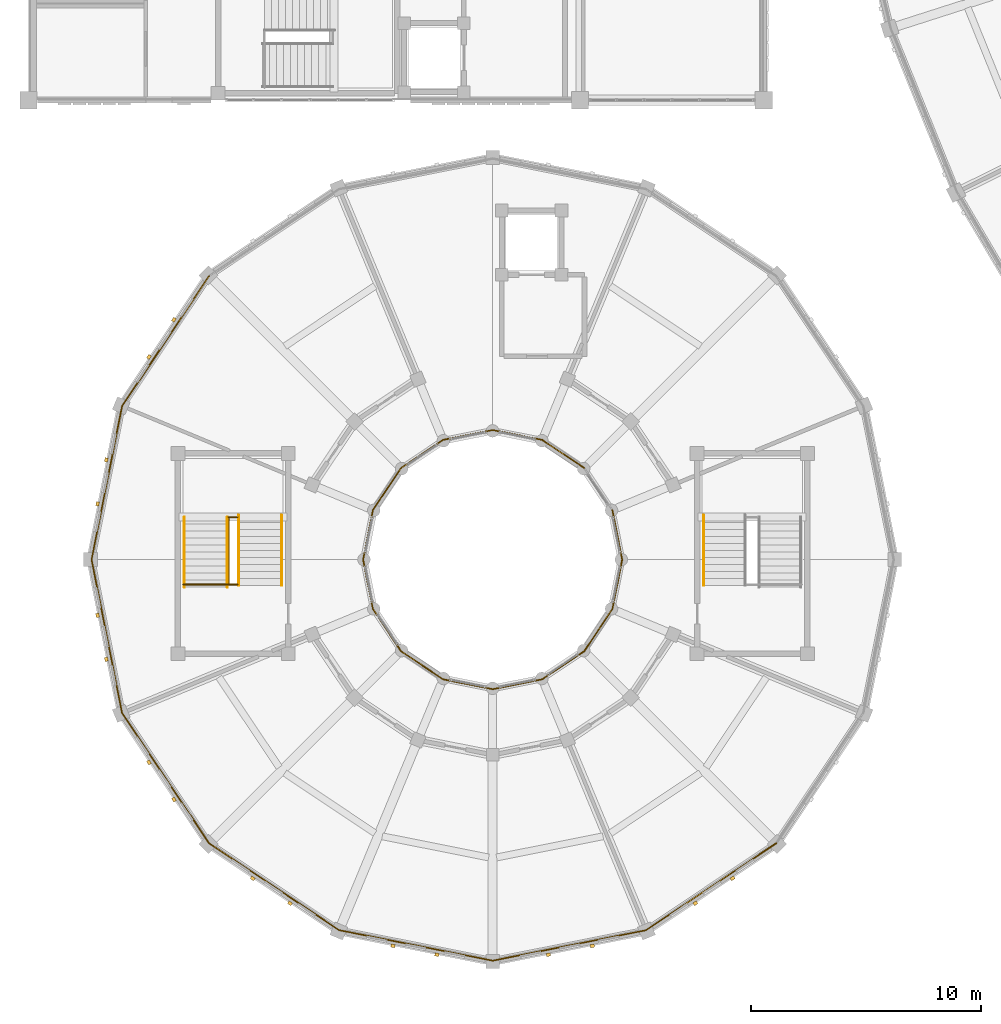
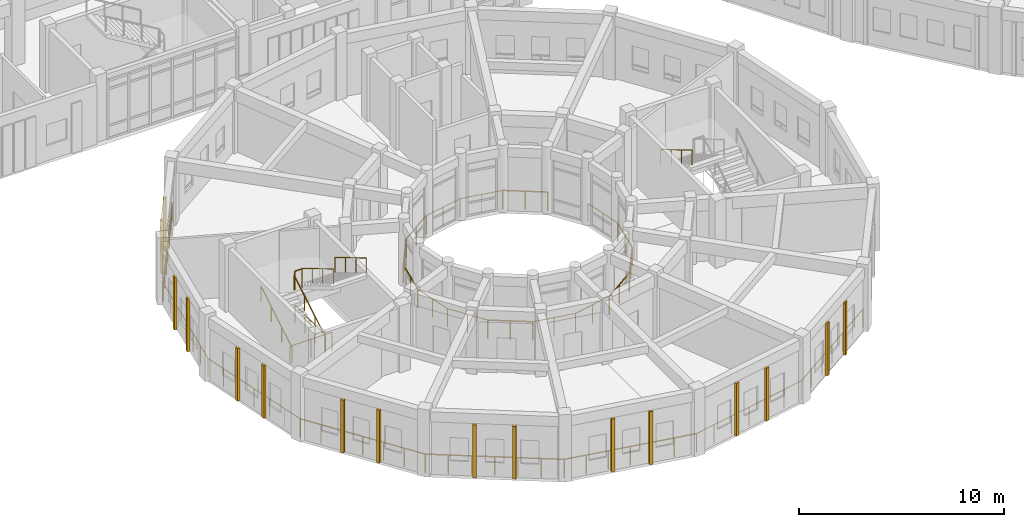
# One storey, part 140 of 159: 31 railings, 16 coverings.
"""IFC4 building model written with IfcOpenShell, lengths in metres."""

from ifc_helpers import new_model, si_unit, direction, frame, origin, origin_2d, place, context, subcontext, project, spatial, rectangle, circle, extrude, material, layer, layer_set, type_object, element, save


model = new_model("IFC4")

# Units and contexts
model_context = context("Model", 3, precision=1e-05, world=origin(), true_north=direction((0.0, 1.0)))
body_context = subcontext(model_context, "Body", "Model", "MODEL_VIEW")
ifc_project = project(units=[si_unit("LENGTHUNIT", "METRE"), si_unit("AREAUNIT", "SQUARE_METRE"), si_unit("VOLUMEUNIT", "CUBIC_METRE"), si_unit("PLANEANGLEUNIT", "RADIAN"), si_unit("MASSUNIT", "GRAM", prefix="KILO")], contexts=[model_context])

# Site, building, storey
site_placement = place(None, origin())
site = spatial("IfcSite", under=ifc_project, at=site_placement, CompositionType="ELEMENT")
building_placement = place(site_placement, origin())
building = spatial("IfcBuilding", under=site, at=building_placement, Name="Celadon Cloister-Ring School", CompositionType="ELEMENT")
storey_placement = place(building_placement, frame((0.0, 0.0, 4.5)))
storey = spatial("IfcBuildingStorey", under=building, at=storey_placement, Name="L01", CompositionType="ELEMENT", Elevation=4.5)

# Coverings
ifc_material_1 = material(Name="Perforated terracotta clay brick masonry", Category="masonry")
ifc_layer = layer(ifc_material_1, 0.139892578125)
ifc_layer_set = layer_set([ifc_layer], Name="Perforated terracotta clay brick masonry")
covering_type = type_object("IfcCoveringType", Name="CV-SC1", PredefinedType="CLADDING", material=ifc_layer_set)
for number, where, z_axis, x_axis, name in (
    (1, (5.239990234375, 28.822998046875, 0.0), (0.0, 0.0, 1.0), (0.55567181205, 0.831401730389, 0.0), "Brick Screen Rib 0618"),
    (2, (6.323974609375, 30.444091796875, 0.0), (0.0, 0.0, 1.0), (0.55567181205, 0.831401730389, 0.0), "Brick Screen Rib 0619"),
    (3, (3.001953125, 22.427001953125, 0.0), (0.0, 0.0, 1.0), (0.195141675546, 0.980775064153, 0.0), "Brick Screen Rib 0620"),
    (4, (3.383056640625, 24.339111328125, 0.0), (0.0, 0.0, 1.0), (0.195141675546, 0.980775064153, 0.0), "Brick Screen Rib 0621"),
    (5, (3.383056640625, 15.660888671875, 0.0), (0.0, 0.0, 1.0), (-0.195141675546, 0.980775064153, 0.0), "Brick Screen Rib 0622"),
    (6, (3.001953125, 17.572998046875, 0.0), (0.0, 0.0, 1.0), (-0.195141675546, 0.980775064153, 0.0), "Brick Screen Rib 0623"),
    (7, (6.323974609375, 9.555908203125, 0.0), (0.0, 0.0, 1.0), (-0.55567181205, 0.831401730389, 0.0), "Brick Screen Rib 0624"),
    (8, (5.239990234375, 11.177001953125, 0.0), (0.0, 0.0, 1.0), (-0.55567181205, 0.831401730389, 0.0), "Brick Screen Rib 0625"),
    (9, (11.376953125, 5.0400390625, 0.0), (0.0, 0.0, 1.0), (-0.831401730389, 0.55567181205, 0.0), "Brick Screen Rib 0626"),
    (10, (9.756103515625, 6.1240234375, 0.0), (0.0, 0.0, 1.0), (-0.831401730389, 0.55567181205, 0.0), "Brick Screen Rib 0627"),
    (11, (17.77294921875, 2.802001953125, 0.0), (0.0, 0.0, 1.0), (-0.980775064153, 0.195141675546, 0.0), "Brick Screen Rib 0628"),
    (12, (15.861083984375, 3.18310546875, 0.0), (0.0, 0.0, 1.0), (-0.980775064153, 0.195141675546, 0.0), "Brick Screen Rib 0629"),
    (13, (24.5390625, 3.18310546875, 0.0), (0.0, 0.0, 1.0), (-0.980775064153, -0.195141675546, 0.0), "Brick Screen Rib 0630"),
    (14, (22.626953125, 2.802001953125, 0.0), (0.0, 0.0, 1.0), (-0.980775064153, -0.195141675546, 0.0), "Brick Screen Rib 0631"),
    (15, (30.64404296875, 6.1240234375, 0.0), (0.0, 0.0, 1.0), (-0.831401730389, -0.55567181205, 0.0), "Brick Screen Rib 0632"),
    (16, (29.02294921875, 5.0400390625, 0.0), (0.0, 0.0, 1.0), (-0.831401730389, -0.55567181205, 0.0), "Brick Screen Rib 0633"),
):
    element("IfcCovering", number, at=place(storey_placement, frame(where, z_axis=z_axis, x_axis=x_axis)), inside=storey, type_object=covering_type, Name=name, PredefinedType="CLADDING", context=body_context, shape_type="SweptSolid", body=[
        extrude(rectangle(XDim=0.179931640625, YDim=0.139892578125, at=origin_2d()), origin(), (0.0, 0.0, 1.0), 3.152099609375),
    ])

# Railings
ifc_material_2 = material(Name="Structural steel S355JR", Category="steel")
railing_type_1 = type_object("IfcRailingType", Name="RL-BL1", PredefinedType="BALUSTRADE", material=ifc_material_2)
railing_1_placement = place(storey_placement, frame((7.85400390625, 32.345947265625, 0.0)))
element("IfcRailing", 17, at=railing_1_placement, inside=storey, type_object=railing_type_1, Name="Terrace Balustrade 0319", PredefinedType="BALUSTRADE", context=body_context, shape_type="SweptSolid", body=[
    extrude(circle(Radius=0.02392578125, at=origin_2d()), frame((0.0, 0.0, 1.09619140625), z_axis=(-0.555601342036, -0.831448825081, 0.0), x_axis=(0.831448825081, -0.555601342036, 0.0)), (0.0, 0.0, 1.0), 6.812255859375),
    extrude(circle(Radius=0.02099609375, at=origin_2d()), origin(), (0.0, 0.0, 1.0), 1.072021484375),
    extrude(circle(Radius=0.02099609375, at=origin_2d()), frame((-0.630859375, -0.944091796875, 0.0)), (0.0, 0.0, 1.0), 1.072021484375),
    extrude(circle(Radius=0.02099609375, at=origin_2d()), frame((-1.26171875, -1.887939453125, 0.0)), (0.0, 0.0, 1.0), 1.072021484375),
    extrude(circle(Radius=0.02099609375, at=origin_2d()), frame((-1.892578125, -2.83203125, 0.0)), (0.0, 0.0, 1.0), 1.072021484375),
    extrude(circle(Radius=0.02099609375, at=origin_2d()), frame((-2.523193359375, -3.776123046875, 0.0)), (0.0, 0.0, 1.0), 1.072021484375),
    extrude(circle(Radius=0.02099609375, at=origin_2d()), frame((-3.154052734375, -4.719970703125, 0.0)), (0.0, 0.0, 1.0), 1.072021484375),
    extrude(circle(Radius=0.02099609375, at=origin_2d()), frame((-3.784912109375, -5.6640625, 0.0)), (0.0, 0.0, 1.0), 1.072021484375),
])
railing_2_placement = place(storey_placement, frame((4.069091796875, 26.681884765625, 0.0)))
element("IfcRailing", 18, at=railing_2_placement, inside=storey, type_object=railing_type_1, Name="Terrace Balustrade 0320", PredefinedType="BALUSTRADE", context=body_context, shape_type="SweptSolid", body=[
    extrude(circle(Radius=0.02392578125, at=origin_2d()), frame((0.0, 0.0, 1.09619140625), z_axis=(-0.19508919883, -0.980785503818, 0.0), x_axis=(0.980785503818, -0.19508919883, 0.0)), (0.0, 0.0, 1.0), 6.812744140625),
    extrude(circle(Radius=0.02099609375, at=origin_2d()), origin(), (0.0, 0.0, 1.0), 1.072021484375),
    extrude(circle(Radius=0.02099609375, at=origin_2d()), frame((-0.221435546875, -1.11376953125, 0.0)), (0.0, 0.0, 1.0), 1.072021484375),
    extrude(circle(Radius=0.02099609375, at=origin_2d()), frame((-0.443115234375, -2.227294921875, 0.0)), (0.0, 0.0, 1.0), 1.072021484375),
    extrude(circle(Radius=0.02099609375, at=origin_2d()), frame((-0.66455078125, -3.3408203125, 0.0)), (0.0, 0.0, 1.0), 1.072021484375),
    extrude(circle(Radius=0.02099609375, at=origin_2d()), frame((-0.885986328125, -4.45458984375, 0.0)), (0.0, 0.0, 1.0), 1.072021484375),
    extrude(circle(Radius=0.02099609375, at=origin_2d()), frame((-1.107666015625, -5.568359375, 0.0)), (0.0, 0.0, 1.0), 1.072021484375),
    extrude(circle(Radius=0.02099609375, at=origin_2d()), frame((-1.3291015625, -6.681884765625, 0.0)), (0.0, 0.0, 1.0), 1.072021484375),
])
railing_3_placement = place(storey_placement, frame((2.739990234375, 20.0, 0.0)))
element("IfcRailing", 19, at=railing_3_placement, inside=storey, type_object=railing_type_1, Name="Terrace Balustrade 0321", PredefinedType="BALUSTRADE", context=body_context, shape_type="SweptSolid", body=[
    extrude(circle(Radius=0.02392578125, at=origin_2d()), frame((0.0, 0.0, 1.09619140625), z_axis=(0.19508919883, -0.980785503818, 0.0), x_axis=(0.980785503818, 0.19508919883, 0.0)), (0.0, 0.0, 1.0), 6.812744140625),
    extrude(circle(Radius=0.02099609375, at=origin_2d()), origin(), (0.0, 0.0, 1.0), 1.072021484375),
    extrude(circle(Radius=0.02099609375, at=origin_2d()), frame((0.221435546875, -1.11376953125, 0.0)), (0.0, 0.0, 1.0), 1.072021484375),
    extrude(circle(Radius=0.02099609375, at=origin_2d()), frame((0.443115234375, -2.227294921875, 0.0)), (0.0, 0.0, 1.0), 1.072021484375),
    extrude(circle(Radius=0.02099609375, at=origin_2d()), frame((0.66455078125, -3.3408203125, 0.0)), (0.0, 0.0, 1.0), 1.072021484375),
    extrude(circle(Radius=0.02099609375, at=origin_2d()), frame((0.885986328125, -4.45458984375, 0.0)), (0.0, 0.0, 1.0), 1.072021484375),
    extrude(circle(Radius=0.02099609375, at=origin_2d()), frame((1.107666015625, -5.568359375, 0.0)), (0.0, 0.0, 1.0), 1.072021484375),
    extrude(circle(Radius=0.02099609375, at=origin_2d()), frame((1.3291015625, -6.681884765625, 0.0)), (0.0, 0.0, 1.0), 1.072021484375),
])
railing_4_placement = place(storey_placement, frame((4.069091796875, 13.318115234375, 0.0)))
element("IfcRailing", 20, at=railing_4_placement, inside=storey, type_object=railing_type_1, Name="Terrace Balustrade 0322", PredefinedType="BALUSTRADE", context=body_context, shape_type="SweptSolid", body=[
    extrude(circle(Radius=0.02392578125, at=origin_2d()), frame((0.0, 0.0, 1.09619140625), z_axis=(0.555601342036, -0.831448825081, 0.0), x_axis=(0.831448825081, 0.555601342036, 0.0)), (0.0, 0.0, 1.0), 6.812255859375),
    extrude(circle(Radius=0.02099609375, at=origin_2d()), origin(), (0.0, 0.0, 1.0), 1.072021484375),
    extrude(circle(Radius=0.02099609375, at=origin_2d()), frame((0.630859375, -0.944091796875, 0.0)), (0.0, 0.0, 1.0), 1.072021484375),
    extrude(circle(Radius=0.02099609375, at=origin_2d()), frame((1.26171875, -1.887939453125, 0.0)), (0.0, 0.0, 1.0), 1.072021484375),
    extrude(circle(Radius=0.02099609375, at=origin_2d()), frame((1.892578125, -2.83203125, 0.0)), (0.0, 0.0, 1.0), 1.072021484375),
    extrude(circle(Radius=0.02099609375, at=origin_2d()), frame((2.523193359375, -3.776123046875, 0.0)), (0.0, 0.0, 1.0), 1.072021484375),
    extrude(circle(Radius=0.02099609375, at=origin_2d()), frame((3.154052734375, -4.719970703125, 0.0)), (0.0, 0.0, 1.0), 1.072021484375),
    extrude(circle(Radius=0.02099609375, at=origin_2d()), frame((3.784912109375, -5.6640625, 0.0)), (0.0, 0.0, 1.0), 1.072021484375),
])
railing_5_placement = place(storey_placement, frame((7.85400390625, 7.654052734375, 0.0)))
element("IfcRailing", 21, at=railing_5_placement, inside=storey, type_object=railing_type_1, Name="Terrace Balustrade 0323", PredefinedType="BALUSTRADE", context=body_context, shape_type="SweptSolid", body=[
    extrude(circle(Radius=0.02392578125, at=origin_2d()), frame((0.0, 0.0, 1.09619140625), z_axis=(0.831432269387, -0.555626116577, 0.0), x_axis=(0.555626116577, 0.831432269387, 0.0)), (0.0, 0.0, 1.0), 6.8125),
    extrude(circle(Radius=0.02099609375, at=origin_2d()), origin(), (0.0, 0.0, 1.0), 1.072021484375),
    extrude(circle(Radius=0.02099609375, at=origin_2d()), frame((0.944091796875, -0.630859375, 0.0)), (0.0, 0.0, 1.0), 1.072021484375),
    extrude(circle(Radius=0.02099609375, at=origin_2d()), frame((1.887939453125, -1.26171875, 0.0)), (0.0, 0.0, 1.0), 1.072021484375),
    extrude(circle(Radius=0.02099609375, at=origin_2d()), frame((2.83203125, -1.892578125, 0.0)), (0.0, 0.0, 1.0), 1.072021484375),
    extrude(circle(Radius=0.02099609375, at=origin_2d()), frame((3.776123046875, -2.5234375, 0.0)), (0.0, 0.0, 1.0), 1.072021484375),
    extrude(circle(Radius=0.02099609375, at=origin_2d()), frame((4.719970703125, -3.154296875, 0.0)), (0.0, 0.0, 1.0), 1.072021484375),
    extrude(circle(Radius=0.02099609375, at=origin_2d()), frame((5.6640625, -3.78515625, 0.0)), (0.0, 0.0, 1.0), 1.072021484375),
])
railing_6_placement = place(storey_placement, frame((13.51806640625, 3.868896484375, 0.0)))
element("IfcRailing", 22, at=railing_6_placement, inside=storey, type_object=railing_type_1, Name="Terrace Balustrade 0324", PredefinedType="BALUSTRADE", context=body_context, shape_type="SweptSolid", body=[
    extrude(circle(Radius=0.02392578125, at=origin_2d()), frame((0.0, 0.0, 1.09619140625), z_axis=(0.980792360074, -0.19505472673, 0.0), x_axis=(0.19505472673, 0.980792360074, 0.0)), (0.0, 0.0, 1.0), 6.812744140625),
    extrude(circle(Radius=0.02099609375, at=origin_2d()), origin(), (0.0, 0.0, 1.0), 1.072021484375),
    extrude(circle(Radius=0.02099609375, at=origin_2d()), frame((1.11376953125, -0.221435546875, 0.0)), (0.0, 0.0, 1.0), 1.072021484375),
    extrude(circle(Radius=0.02099609375, at=origin_2d()), frame((2.227294921875, -0.44287109375, 0.0)), (0.0, 0.0, 1.0), 1.072021484375),
    extrude(circle(Radius=0.02099609375, at=origin_2d()), frame((3.3408203125, -0.66455078125, 0.0)), (0.0, 0.0, 1.0), 1.072021484375),
    extrude(circle(Radius=0.02099609375, at=origin_2d()), frame((4.45458984375, -0.885986328125, 0.0)), (0.0, 0.0, 1.0), 1.072021484375),
    extrude(circle(Radius=0.02099609375, at=origin_2d()), frame((5.568359375, -1.107421875, 0.0)), (0.0, 0.0, 1.0), 1.072021484375),
    extrude(circle(Radius=0.02099609375, at=origin_2d()), frame((6.681884765625, -1.328857421875, 0.0)), (0.0, 0.0, 1.0), 1.072021484375),
])
railing_7_placement = place(storey_placement, frame((20.199951171875, 2.5400390625, 0.0)))
element("IfcRailing", 23, at=railing_7_placement, inside=storey, type_object=railing_type_1, Name="Terrace Balustrade 0325", PredefinedType="BALUSTRADE", context=body_context, shape_type="SweptSolid", body=[
    extrude(circle(Radius=0.02392578125, at=origin_2d()), frame((0.0, 0.0, 1.09619140625), z_axis=(0.980793723427, 0.195047871268, 0.0), x_axis=(-0.195047871268, 0.980793723427, 0.0)), (0.0, 0.0, 1.0), 6.81298828125),
    extrude(circle(Radius=0.02099609375, at=origin_2d()), origin(), (0.0, 0.0, 1.0), 1.072021484375),
    extrude(circle(Radius=0.02099609375, at=origin_2d()), frame((1.11376953125, 0.221435546875, 0.0)), (0.0, 0.0, 1.0), 1.072021484375),
    extrude(circle(Radius=0.02099609375, at=origin_2d()), frame((2.227294921875, 0.44287109375, 0.0)), (0.0, 0.0, 1.0), 1.072021484375),
    extrude(circle(Radius=0.02099609375, at=origin_2d()), frame((3.341064453125, 0.66455078125, 0.0)), (0.0, 0.0, 1.0), 1.072021484375),
    extrude(circle(Radius=0.02099609375, at=origin_2d()), frame((4.454833984375, 0.885986328125, 0.0)), (0.0, 0.0, 1.0), 1.072021484375),
    extrude(circle(Radius=0.02099609375, at=origin_2d()), frame((5.568359375, 1.107421875, 0.0)), (0.0, 0.0, 1.0), 1.072021484375),
    extrude(circle(Radius=0.02099609375, at=origin_2d()), frame((6.68212890625, 1.328857421875, 0.0)), (0.0, 0.0, 1.0), 1.072021484375),
])
railing_8_placement = place(storey_placement, frame((26.882080078125, 3.868896484375, 0.0)))
element("IfcRailing", 24, at=railing_8_placement, inside=storey, type_object=railing_type_1, Name="Terrace Balustrade 0326", PredefinedType="BALUSTRADE", context=body_context, shape_type="SweptSolid", body=[
    extrude(circle(Radius=0.02392578125, at=origin_2d()), frame((0.0, 0.0, 1.09619140625), z_axis=(0.831421205096, 0.555642672693, 0.0), x_axis=(-0.555642672693, 0.831421205096, 0.0)), (0.0, 0.0, 1.0), 6.812255859375),
    extrude(circle(Radius=0.02099609375, at=origin_2d()), origin(), (0.0, 0.0, 1.0), 1.072021484375),
    extrude(circle(Radius=0.02099609375, at=origin_2d()), frame((0.94384765625, 0.630859375, 0.0)), (0.0, 0.0, 1.0), 1.072021484375),
    extrude(circle(Radius=0.02099609375, at=origin_2d()), frame((1.887939453125, 1.26171875, 0.0)), (0.0, 0.0, 1.0), 1.072021484375),
    extrude(circle(Radius=0.02099609375, at=origin_2d()), frame((2.83203125, 1.892578125, 0.0)), (0.0, 0.0, 1.0), 1.072021484375),
    extrude(circle(Radius=0.02099609375, at=origin_2d()), frame((3.77587890625, 2.5234375, 0.0)), (0.0, 0.0, 1.0), 1.072021484375),
    extrude(circle(Radius=0.02099609375, at=origin_2d()), frame((4.7197265625, 3.154296875, 0.0)), (0.0, 0.0, 1.0), 1.072021484375),
    extrude(circle(Radius=0.02099609375, at=origin_2d()), frame((5.663818359375, 3.78515625, 0.0)), (0.0, 0.0, 1.0), 1.072021484375),
])
railing_9_placement = place(storey_placement, frame((25.840087890625, 20.0, 0.0)))
element("IfcRailing", 25, at=railing_9_placement, inside=storey, type_object=railing_type_1, Name="Terrace Balustrade 0329", PredefinedType="BALUSTRADE", context=body_context, shape_type="SweptSolid", body=[
    extrude(circle(Radius=0.02392578125, at=origin_2d()), frame((0.0, 0.0, 1.09619140625), z_axis=(-0.19507042432, 0.980789238091, 0.0), x_axis=(-0.980789238091, -0.19507042432, 0.0)), (0.0, 0.0, 1.0), 2.2001953125),
    extrude(circle(Radius=0.02099609375, at=origin_2d()), origin(), (0.0, 0.0, 1.0), 1.072021484375),
    extrude(circle(Radius=0.02099609375, at=origin_2d()), frame((-0.214599609375, 1.0791015625, 0.0)), (0.0, 0.0, 1.0), 1.072021484375),
    extrude(circle(Radius=0.02099609375, at=origin_2d()), frame((-0.42919921875, 2.157958984375, 0.0)), (0.0, 0.0, 1.0), 1.072021484375),
])
railing_10_placement = place(storey_placement, frame((24.18798828125, 23.988037109375, 0.0)))
element("IfcRailing", 26, at=railing_10_placement, inside=storey, type_object=railing_type_1, Name="Terrace Balustrade 0331", PredefinedType="BALUSTRADE", context=body_context, shape_type="SweptSolid", body=[
    extrude(circle(Radius=0.02392578125, at=origin_2d()), frame((0.0, 0.0, 1.09619140625), z_axis=(-0.831452553193, 0.555595762933, 0.0), x_axis=(-0.555595762933, -0.831452553193, 0.0)), (0.0, 0.0, 1.0), 2.201171875),
    extrude(circle(Radius=0.02099609375, at=origin_2d()), origin(), (0.0, 0.0, 1.0), 1.072021484375),
    extrude(circle(Radius=0.02099609375, at=origin_2d()), frame((-0.9150390625, 0.611328125, 0.0)), (0.0, 0.0, 1.0), 1.072021484375),
    extrude(circle(Radius=0.02099609375, at=origin_2d()), frame((-1.830078125, 1.222900390625, 0.0)), (0.0, 0.0, 1.0), 1.072021484375),
])
railing_11_placement = place(storey_placement, frame((22.35791015625, 25.2109375, 0.0)))
element("IfcRailing", 27, at=railing_11_placement, inside=storey, type_object=railing_type_1, Name="Terrace Balustrade 0332", PredefinedType="BALUSTRADE", context=body_context, shape_type="SweptSolid", body=[
    extrude(circle(Radius=0.02392578125, at=origin_2d()), frame((0.0, 0.0, 1.09619140625), z_axis=(-0.980810462238, 0.194963681655, 0.0), x_axis=(-0.194963681655, -0.980810462238, 0.0)), (0.0, 0.0, 1.0), 2.2001953125),
    extrude(circle(Radius=0.02099609375, at=origin_2d()), origin(), (0.0, 0.0, 1.0), 1.072021484375),
    extrude(circle(Radius=0.02099609375, at=origin_2d()), frame((-1.0791015625, 0.21435546875, 0.0)), (0.0, 0.0, 1.0), 1.072021484375),
    extrude(circle(Radius=0.02099609375, at=origin_2d()), frame((-2.157958984375, 0.428955078125, 0.0)), (0.0, 0.0, 1.0), 1.072021484375),
])
railing_12_placement = place(storey_placement, frame((20.199951171875, 25.639892578125, 0.0)))
element("IfcRailing", 28, at=railing_12_placement, inside=storey, type_object=railing_type_1, Name="Terrace Balustrade 0333", PredefinedType="BALUSTRADE", context=body_context, shape_type="SweptSolid", body=[
    extrude(circle(Radius=0.02392578125, at=origin_2d()), frame((0.0, 0.0, 1.09619140625), z_axis=(-0.980810462238, -0.194963681655, 0.0), x_axis=(0.194963681655, -0.980810462238, 0.0)), (0.0, 0.0, 1.0), 2.2001953125),
    extrude(circle(Radius=0.02099609375, at=origin_2d()), origin(), (0.0, 0.0, 1.0), 1.072021484375),
    extrude(circle(Radius=0.02099609375, at=origin_2d()), frame((-1.0791015625, -0.21435546875, 0.0)), (0.0, 0.0, 1.0), 1.072021484375),
    extrude(circle(Radius=0.02099609375, at=origin_2d()), frame((-2.157958984375, -0.428955078125, 0.0)), (0.0, 0.0, 1.0), 1.072021484375),
])
railing_13_placement = place(storey_placement, frame((18.0419921875, 25.2109375, 0.0)))
element("IfcRailing", 29, at=railing_13_placement, inside=storey, type_object=railing_type_1, Name="Terrace Balustrade 0334", PredefinedType="BALUSTRADE", context=body_context, shape_type="SweptSolid", body=[
    extrude(circle(Radius=0.02392578125, at=origin_2d()), frame((0.0, 0.0, 1.09619140625), z_axis=(-0.831452553193, -0.555595762933, 0.0), x_axis=(0.555595762933, -0.831452553193, 0.0)), (0.0, 0.0, 1.0), 2.201171875),
    extrude(circle(Radius=0.02099609375, at=origin_2d()), origin(), (0.0, 0.0, 1.0), 1.072021484375),
    extrude(circle(Radius=0.02099609375, at=origin_2d()), frame((-0.9150390625, -0.611328125, 0.0)), (0.0, 0.0, 1.0), 1.072021484375),
    extrude(circle(Radius=0.02099609375, at=origin_2d()), frame((-1.830078125, -1.222900390625, 0.0)), (0.0, 0.0, 1.0), 1.072021484375),
])
railing_14_placement = place(storey_placement, frame((16.2119140625, 23.988037109375, 0.0)))
element("IfcRailing", 30, at=railing_14_placement, inside=storey, type_object=railing_type_1, Name="Terrace Balustrade 0335", PredefinedType="BALUSTRADE", context=body_context, shape_type="SweptSolid", body=[
    extrude(circle(Radius=0.02392578125, at=origin_2d()), frame((0.0, 0.0, 1.09619140625), z_axis=(-0.555595762933, -0.831452553193, 0.0), x_axis=(0.831452553193, -0.555595762933, 0.0)), (0.0, 0.0, 1.0), 2.201171875),
    extrude(circle(Radius=0.02099609375, at=origin_2d()), origin(), (0.0, 0.0, 1.0), 1.072021484375),
    extrude(circle(Radius=0.02099609375, at=origin_2d()), frame((-0.611328125, -0.9150390625, 0.0)), (0.0, 0.0, 1.0), 1.072021484375),
    extrude(circle(Radius=0.02099609375, at=origin_2d()), frame((-1.222900390625, -1.830078125, 0.0)), (0.0, 0.0, 1.0), 1.072021484375),
])
railing_15_placement = place(storey_placement, frame((14.989013671875, 22.157958984375, 0.0)))
element("IfcRailing", 31, at=railing_15_placement, inside=storey, type_object=railing_type_1, Name="Terrace Balustrade 0336", PredefinedType="BALUSTRADE", context=body_context, shape_type="SweptSolid", body=[
    extrude(circle(Radius=0.02392578125, at=origin_2d()), frame((0.0, 0.0, 1.09619140625), z_axis=(-0.194963681655, -0.980810462238, 0.0), x_axis=(0.980810462238, -0.194963681655, 0.0)), (0.0, 0.0, 1.0), 2.2001953125),
    extrude(circle(Radius=0.02099609375, at=origin_2d()), origin(), (0.0, 0.0, 1.0), 1.072021484375),
    extrude(circle(Radius=0.02099609375, at=origin_2d()), frame((-0.21435546875, -1.0791015625, 0.0)), (0.0, 0.0, 1.0), 1.072021484375),
    extrude(circle(Radius=0.02099609375, at=origin_2d()), frame((-0.428955078125, -2.157958984375, 0.0)), (0.0, 0.0, 1.0), 1.072021484375),
])
railing_16_placement = place(storey_placement, frame((14.56005859375, 20.0, 0.0)))
element("IfcRailing", 32, at=railing_16_placement, inside=storey, type_object=railing_type_1, Name="Terrace Balustrade 0337", PredefinedType="BALUSTRADE", context=body_context, shape_type="SweptSolid", body=[
    extrude(circle(Radius=0.02392578125, at=origin_2d()), frame((0.0, 0.0, 1.09619140625), z_axis=(0.194963681655, -0.980810462238, 0.0), x_axis=(0.980810462238, 0.194963681655, 0.0)), (0.0, 0.0, 1.0), 2.2001953125),
    extrude(circle(Radius=0.02099609375, at=origin_2d()), origin(), (0.0, 0.0, 1.0), 1.072021484375),
    extrude(circle(Radius=0.02099609375, at=origin_2d()), frame((0.21435546875, -1.0791015625, 0.0)), (0.0, 0.0, 1.0), 1.072021484375),
    extrude(circle(Radius=0.02099609375, at=origin_2d()), frame((0.428955078125, -2.157958984375, 0.0)), (0.0, 0.0, 1.0), 1.072021484375),
])
railing_17_placement = place(storey_placement, frame((14.989013671875, 17.842041015625, 0.0)))
element("IfcRailing", 33, at=railing_17_placement, inside=storey, type_object=railing_type_1, Name="Terrace Balustrade 0338", PredefinedType="BALUSTRADE", context=body_context, shape_type="SweptSolid", body=[
    extrude(circle(Radius=0.02392578125, at=origin_2d()), frame((0.0, 0.0, 1.09619140625), z_axis=(0.555595762933, -0.831452553193, 0.0), x_axis=(0.831452553193, 0.555595762933, 0.0)), (0.0, 0.0, 1.0), 2.201171875),
    extrude(circle(Radius=0.02099609375, at=origin_2d()), origin(), (0.0, 0.0, 1.0), 1.072021484375),
    extrude(circle(Radius=0.02099609375, at=origin_2d()), frame((0.611328125, -0.9150390625, 0.0)), (0.0, 0.0, 1.0), 1.072021484375),
    extrude(circle(Radius=0.02099609375, at=origin_2d()), frame((1.222900390625, -1.830078125, 0.0)), (0.0, 0.0, 1.0), 1.072021484375),
])
railing_18_placement = place(storey_placement, frame((16.2119140625, 16.011962890625, 0.0)))
element("IfcRailing", 34, at=railing_18_placement, inside=storey, type_object=railing_type_1, Name="Terrace Balustrade 0339", PredefinedType="BALUSTRADE", context=body_context, shape_type="SweptSolid", body=[
    extrude(circle(Radius=0.02392578125, at=origin_2d()), frame((0.0, 0.0, 1.09619140625), z_axis=(0.831452553193, -0.555595762933, 0.0), x_axis=(0.555595762933, 0.831452553193, 0.0)), (0.0, 0.0, 1.0), 2.201171875),
    extrude(circle(Radius=0.02099609375, at=origin_2d()), origin(), (0.0, 0.0, 1.0), 1.072021484375),
    extrude(circle(Radius=0.02099609375, at=origin_2d()), frame((0.9150390625, -0.611328125, 0.0)), (0.0, 0.0, 1.0), 1.072021484375),
    extrude(circle(Radius=0.02099609375, at=origin_2d()), frame((1.830078125, -1.222900390625, 0.0)), (0.0, 0.0, 1.0), 1.072021484375),
])
railing_19_placement = place(storey_placement, frame((18.0419921875, 14.7890625, 0.0)))
element("IfcRailing", 35, at=railing_19_placement, inside=storey, type_object=railing_type_1, Name="Terrace Balustrade 0340", PredefinedType="BALUSTRADE", context=body_context, shape_type="SweptSolid", body=[
    extrude(circle(Radius=0.02392578125, at=origin_2d()), frame((0.0, 0.0, 1.09619140625), z_axis=(0.980810462238, -0.194963681655, 0.0), x_axis=(0.194963681655, 0.980810462238, 0.0)), (0.0, 0.0, 1.0), 2.2001953125),
    extrude(circle(Radius=0.02099609375, at=origin_2d()), origin(), (0.0, 0.0, 1.0), 1.072021484375),
    extrude(circle(Radius=0.02099609375, at=origin_2d()), frame((1.0791015625, -0.21435546875, 0.0)), (0.0, 0.0, 1.0), 1.072021484375),
    extrude(circle(Radius=0.02099609375, at=origin_2d()), frame((2.157958984375, -0.428955078125, 0.0)), (0.0, 0.0, 1.0), 1.072021484375),
])
railing_20_placement = place(storey_placement, frame((20.199951171875, 14.360107421875, 0.0)))
element("IfcRailing", 36, at=railing_20_placement, inside=storey, type_object=railing_type_1, Name="Terrace Balustrade 0341", PredefinedType="BALUSTRADE", context=body_context, shape_type="SweptSolid", body=[
    extrude(circle(Radius=0.02392578125, at=origin_2d()), frame((0.0, 0.0, 1.09619140625), z_axis=(0.980810462238, 0.194963681655, 0.0), x_axis=(-0.194963681655, 0.980810462238, 0.0)), (0.0, 0.0, 1.0), 2.2001953125),
    extrude(circle(Radius=0.02099609375, at=origin_2d()), origin(), (0.0, 0.0, 1.0), 1.072021484375),
    extrude(circle(Radius=0.02099609375, at=origin_2d()), frame((1.0791015625, 0.21435546875, 0.0)), (0.0, 0.0, 1.0), 1.072021484375),
    extrude(circle(Radius=0.02099609375, at=origin_2d()), frame((2.157958984375, 0.428955078125, 0.0)), (0.0, 0.0, 1.0), 1.072021484375),
])
railing_21_placement = place(storey_placement, frame((22.35791015625, 14.7890625, 0.0)))
element("IfcRailing", 37, at=railing_21_placement, inside=storey, type_object=railing_type_1, Name="Terrace Balustrade 0342", PredefinedType="BALUSTRADE", context=body_context, shape_type="SweptSolid", body=[
    extrude(circle(Radius=0.02392578125, at=origin_2d()), frame((0.0, 0.0, 1.09619140625), z_axis=(0.831452553193, 0.555595762933, 0.0), x_axis=(-0.555595762933, 0.831452553193, 0.0)), (0.0, 0.0, 1.0), 2.201171875),
    extrude(circle(Radius=0.02099609375, at=origin_2d()), origin(), (0.0, 0.0, 1.0), 1.072021484375),
    extrude(circle(Radius=0.02099609375, at=origin_2d()), frame((0.9150390625, 0.611328125, 0.0)), (0.0, 0.0, 1.0), 1.072021484375),
    extrude(circle(Radius=0.02099609375, at=origin_2d()), frame((1.830078125, 1.222900390625, 0.0)), (0.0, 0.0, 1.0), 1.072021484375),
])
railing_22_placement = place(storey_placement, frame((24.18798828125, 16.011962890625, 0.0)))
element("IfcRailing", 38, at=railing_22_placement, inside=storey, type_object=railing_type_1, Name="Terrace Balustrade 0343", PredefinedType="BALUSTRADE", context=body_context, shape_type="SweptSolid", body=[
    extrude(circle(Radius=0.02392578125, at=origin_2d()), frame((0.0, 0.0, 1.09619140625), z_axis=(0.555595762933, 0.831452553193, 0.0), x_axis=(-0.831452553193, 0.555595762933, 0.0)), (0.0, 0.0, 1.0), 2.201171875),
    extrude(circle(Radius=0.02099609375, at=origin_2d()), origin(), (0.0, 0.0, 1.0), 1.072021484375),
    extrude(circle(Radius=0.02099609375, at=origin_2d()), frame((0.611328125, 0.9150390625, 0.0)), (0.0, 0.0, 1.0), 1.072021484375),
    extrude(circle(Radius=0.02099609375, at=origin_2d()), frame((1.222900390625, 1.830078125, 0.0)), (0.0, 0.0, 1.0), 1.072021484375),
])
railing_23_placement = place(storey_placement, frame((25.410888671875, 17.842041015625, 0.0)))
element("IfcRailing", 39, at=railing_23_placement, inside=storey, type_object=railing_type_1, Name="Terrace Balustrade 0344", PredefinedType="BALUSTRADE", context=body_context, shape_type="SweptSolid", body=[
    extrude(circle(Radius=0.02392578125, at=origin_2d()), frame((0.0, 0.0, 1.09619140625), z_axis=(0.19507042432, 0.980789238091, 0.0), x_axis=(-0.980789238091, 0.19507042432, 0.0)), (0.0, 0.0, 1.0), 2.2001953125),
    extrude(circle(Radius=0.02099609375, at=origin_2d()), origin(), (0.0, 0.0, 1.0), 1.072021484375),
    extrude(circle(Radius=0.02099609375, at=origin_2d()), frame((0.214599609375, 1.0791015625, 0.0)), (0.0, 0.0, 1.0), 1.072021484375),
    extrude(circle(Radius=0.02099609375, at=origin_2d()), frame((0.42919921875, 2.157958984375, 0.0)), (0.0, 0.0, 1.0), 1.072021484375),
])
ifc_material_3 = material(Name="Structural steel S355JR", Category="steel")
railing_type_2 = type_object("IfcRailingType", Name="RL-BL2", PredefinedType="BALUSTRADE", material=ifc_material_3)
railing_24_placement = place(storey_placement, frame((8.699951171875, 21.85009765625, 2.0)))
element("IfcRailing", 40, at=railing_24_placement, inside=storey, type_object=railing_type_2, Name="Interior Guard 0080", PredefinedType="BALUSTRADE", context=body_context, shape_type="SweptSolid", body=[
    extrude(circle(Radius=0.02392578125, at=origin_2d()), frame((0.0, 0.0, 1.09619140625), z_axis=(1.0, 0.0, 0.0), x_axis=(0.0, 1.0, 0.0)), (0.0, 0.0, 1.0), 0.400146484375),
    extrude(circle(Radius=0.02099609375, at=origin_2d()), origin(), (0.0, 0.0, 1.0), 1.072021484375),
    extrude(circle(Radius=0.02099609375, at=origin_2d()), frame((0.400146484375, 0.0, 0.0)), (0.0, 0.0, 1.0), 1.072021484375),
])
railing_25_placement = place(storey_placement, frame((6.739990234375, 18.9150390625, 0.0)))
element("IfcRailing", 41, at=railing_25_placement, inside=storey, type_object=railing_type_2, Name="Interior Guard 0081", PredefinedType="BALUSTRADE", context=body_context, shape_type="SweptSolid", body=[
    extrude(circle(Radius=0.02392578125, at=origin_2d()), frame((0.0, 0.0, 1.09619140625), z_axis=(1.0, 0.0, 0.0), x_axis=(0.0, 1.0, 0.0)), (0.0, 0.0, 1.0), 2.360107421875),
    extrude(circle(Radius=0.02099609375, at=origin_2d()), origin(), (0.0, 0.0, 1.0), 1.072021484375),
    extrude(circle(Radius=0.02099609375, at=origin_2d()), frame((1.18017578125, 0.0, 0.0)), (0.0, 0.0, 1.0), 1.072021484375),
    extrude(circle(Radius=0.02099609375, at=origin_2d()), frame((2.360107421875, 0.0, 0.0)), (0.0, 0.0, 1.0), 1.072021484375),
])
railing_26_placement = place(storey_placement, frame((8.699951171875, 18.9150390625, 0.0)))
element("IfcRailing", 42, at=railing_26_placement, inside=storey, type_object=railing_type_2, Name="Interior Guard 0082", PredefinedType="BALUSTRADE", context=body_context, shape_type="SweptSolid", body=[
    extrude(circle(Radius=0.02392578125, at=origin_2d()), frame((0.0, 0.0, 1.09619140625), z_axis=(0.0, 1.0, 0.0), x_axis=(-1.0, 0.0, 0.0)), (0.0, 0.0, 1.0), 2.93505859375),
    extrude(circle(Radius=0.02099609375, at=origin_2d()), origin(), (0.0, 0.0, 1.0), 1.072021484375),
    extrude(circle(Radius=0.02099609375, at=origin_2d()), frame((0.0, 0.978271484375, 0.0)), (0.0, 0.0, 1.0), 1.072021484375),
    extrude(circle(Radius=0.02099609375, at=origin_2d()), frame((0.0, 1.956787109375, 0.0)), (0.0, 0.0, 1.0), 1.072021484375),
    extrude(circle(Radius=0.02099609375, at=origin_2d()), frame((0.0, 2.93505859375, 0.0)), (0.0, 0.0, 1.0), 1.072021484375),
])
ifc_material_4 = material(Name="Structural steel S355JR", Category="steel")
railing_type_3 = type_object("IfcRailingType", Name="RL-HR1", PredefinedType="HANDRAIL", material=ifc_material_4)
for number, where, name in (
    (43, (8.655029296875, 18.800048828125, 0.181884765625), "Stair Handrail 0076"),
    (44, (6.784912109375, 18.800048828125, 0.181884765625), "Stair Handrail 0077"),
):
    element("IfcRailing", number, at=place(storey_placement, frame(where)), inside=storey, type_object=railing_type_3, Name=name, PredefinedType="HANDRAIL", context=body_context, shape_type="SweptSolid", body=[
        extrude(circle(Radius=0.02099609375, at=origin_2d()), frame((0.0, 0.0, 0.87890625), z_axis=(0.0, 0.858969654429, 0.51202649616), x_axis=(-1.0, 0.0, 0.0)), (0.0, 0.0, 1.0), 3.55078125),
        extrude(circle(Radius=0.01806640625, at=origin_2d()), origin(), (0.0, 0.0, 1.0), 0.85791015625),
        extrude(circle(Radius=0.01806640625, at=origin_2d()), frame((0.0, 1.0166015625, 0.60595703125)), (0.0, 0.0, 1.0), 0.85791015625),
        extrude(circle(Radius=0.01806640625, at=origin_2d()), frame((0.0, 2.033447265625, 1.212158203125)), (0.0, 0.0, 1.0), 0.85791015625),
        extrude(circle(Radius=0.01806640625, at=origin_2d()), frame((0.0, 3.050048828125, 1.818115234375)), (0.0, 0.0, 1.0), 0.85791015625),
    ])
for number, where, name in (
    (45, (9.14501953125, 21.929931640625, 2.181884765625), "Stair Handrail 0078"),
    (46, (11.014892578125, 21.929931640625, 2.181884765625), "Stair Handrail 0079"),
    (47, (29.385009765625, 21.929931640625, 2.181884765625), "Stair Handrail 0099"),
):
    element("IfcRailing", number, at=place(storey_placement, frame(where)), inside=storey, type_object=railing_type_3, Name=name, PredefinedType="HANDRAIL", context=body_context, shape_type="SweptSolid", body=[
        extrude(circle(Radius=0.02099609375, at=origin_2d()), frame((0.0, 0.0, 0.87890625), z_axis=(0.0, -0.858969654429, 0.51202649616), x_axis=(1.0, 0.0, 0.0)), (0.0, 0.0, 1.0), 3.55078125),
        extrude(circle(Radius=0.01806640625, at=origin_2d()), origin(), (0.0, 0.0, 1.0), 0.85791015625),
        extrude(circle(Radius=0.01806640625, at=origin_2d()), frame((0.0, -1.0166015625, 0.60595703125)), (0.0, 0.0, 1.0), 0.85791015625),
        extrude(circle(Radius=0.01806640625, at=origin_2d()), frame((0.0, -2.033447265625, 1.212158203125)), (0.0, 0.0, 1.0), 0.85791015625),
        extrude(circle(Radius=0.01806640625, at=origin_2d()), frame((0.0, -3.050048828125, 1.818115234375)), (0.0, 0.0, 1.0), 0.85791015625),
    ])

save(model, "model.ifc")
